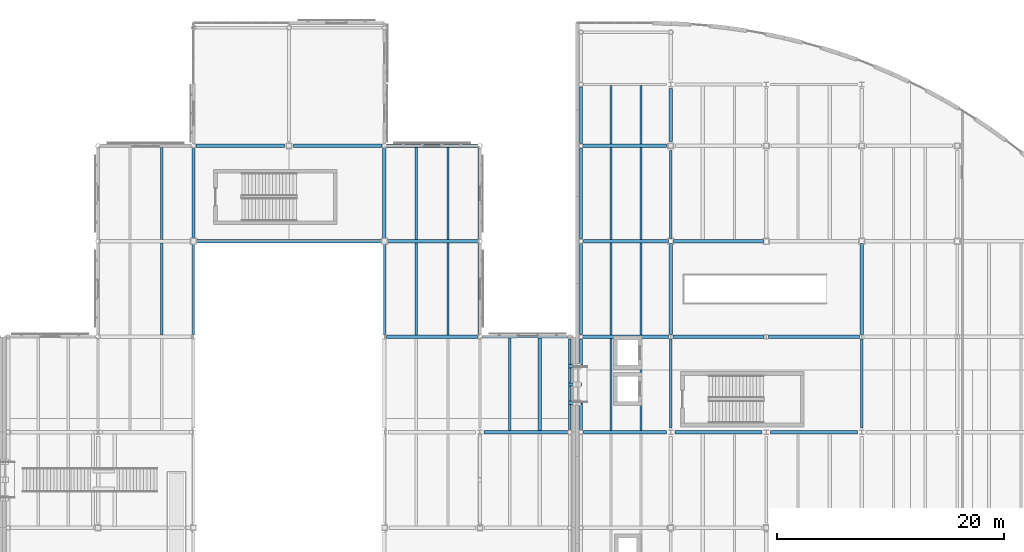
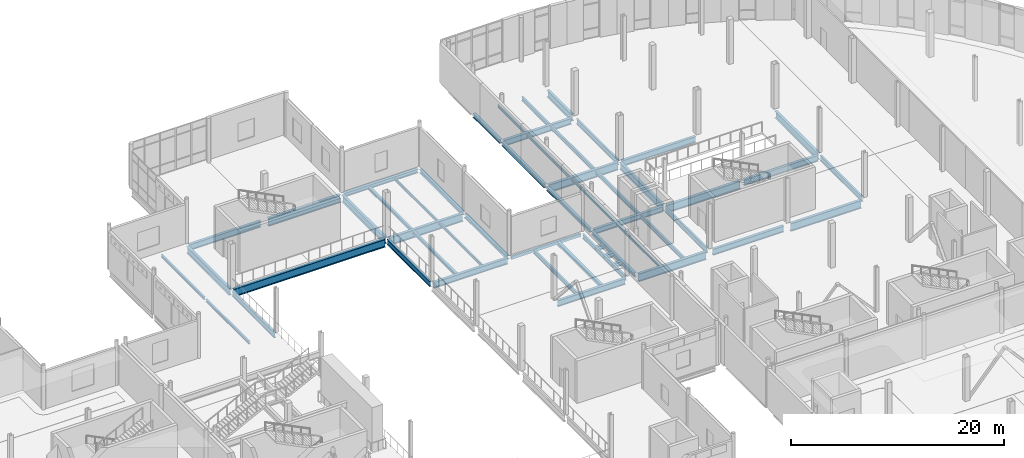
# One storey, part 31 of 104: 53 beams.
"""IFC4 building model written with IfcOpenShell, lengths in metres."""

from ifc_helpers import new_model, si_unit, direction, frame, origin, origin_2d, place, context, subcontext, project, spatial, hollow_rectangle, i_section, extrude, material, material_profile, profile_set, type_object, element, save


model = new_model("IFC4")

# Units and contexts
model_context = context("Model", 3, precision=1e-05, world=origin(), true_north=direction((0.0, 1.0)))
body_context = subcontext(model_context, "Body", "Model", "MODEL_VIEW")
ifc_project = project(units=[si_unit("LENGTHUNIT", "METRE"), si_unit("AREAUNIT", "SQUARE_METRE"), si_unit("VOLUMEUNIT", "CUBIC_METRE"), si_unit("PLANEANGLEUNIT", "RADIAN"), si_unit("MASSUNIT", "GRAM", prefix="KILO"), si_unit("THERMODYNAMICTEMPERATUREUNIT", "KELVIN")], contexts=[model_context])

# Site, building, storey
site_placement = place(None, origin())
site = spatial("IfcSite", under=ifc_project, at=site_placement, CompositionType="ELEMENT")
building_placement = place(site_placement, origin())
building = spatial("IfcBuilding", under=site, at=building_placement, Name="Lustrewick Department Store", CompositionType="ELEMENT")
storey_placement = place(building_placement, frame((0.0, 0.0, 11.39990234375)))
storey = spatial("IfcBuildingStorey", under=building, at=storey_placement, Name="L03", CompositionType="ELEMENT", Elevation=11.39990234375)

# Beams
ifc_material_1 = material(Name="Structural steel Q355B", Category="steel")
ifc_material_profile_1 = material_profile(ifc_material_1, i_section(OverallWidth=0.199951171875, OverallDepth=0.449951171875, WebThickness=0.009033203125, FlangeThickness=0.013916015625, FilletRadius=0.01611328125, at=origin_2d()), Name="HN 450x200x9x14")
ifc_profile_set_1 = profile_set([ifc_material_profile_1], Name="Structural steel Q355B")
beam_type_1 = type_object("IfcBeamType", Name="B03", PredefinedType="JOIST", material=ifc_profile_set_1)
beam_1_placement = place(storey_placement, frame((103.433349609375, 75.75, -0.47998046875), z_axis=(0.0, 1.0, 0.0), x_axis=(-1.0, 0.0, 0.0)))
element("IfcBeam", 1, at=beam_1_placement, inside=storey, type_object=beam_type_1, Name="L03 V2 Secondary Joist B03", PredefinedType="JOIST", context=body_context, shape_type="SweptSolid", body=[
    extrude(i_section(OverallWidth=0.199951171875, OverallDepth=0.449951171875, WebThickness=0.009033203125, FlangeThickness=0.013916015625, FilletRadius=0.01611328125, at=origin_2d()), origin(), (0.0, 0.0, 1.0), 8.14990234375),
])
for number, where, z_axis, x_axis, name in (
    (2, (114.966796875, 75.7509765625, -0.47998046875), (0.0, 1.0, 0.0), (-1.0, 0.0, 0.0), "L03 V4 Secondary Joist B03"),
    (3, (114.966796875, 84.15087890625, -0.47998046875), (0.0, 1.0, 0.0), (-1.0, 0.0, 0.0), "L03 V4 Secondary Joist B03"),
):
    element("IfcBeam", number, at=place(storey_placement, frame(where, z_axis=z_axis, x_axis=x_axis)), inside=storey, type_object=beam_type_1, Name=name, PredefinedType="JOIST", context=body_context, shape_type="SweptSolid", body=[
        extrude(i_section(OverallWidth=0.199951171875, OverallDepth=0.449951171875, WebThickness=0.009033203125, FlangeThickness=0.013916015625, FilletRadius=0.01611328125, at=origin_2d()), origin(), (0.0, 0.0, 1.0), 8.09814453125),
    ])
beam_2_placement = place(storey_placement, frame((114.966796875, 92.551025390625, -0.47998046875), z_axis=(0.0, 1.0, 0.0), x_axis=(-1.0, 0.0, 0.0)))
element("IfcBeam", 4, at=beam_2_placement, inside=storey, type_object=beam_type_1, Name="L03 V4 Secondary Joist B03", PredefinedType="JOIST", context=body_context, shape_type="SweptSolid", body=[
    extrude(i_section(OverallWidth=0.199951171875, OverallDepth=0.449951171875, WebThickness=0.009033203125, FlangeThickness=0.013916015625, FilletRadius=0.01611328125, at=origin_2d()), origin(), (0.0, 0.0, 1.0), 8.098876953125),
])
beam_3_placement = place(storey_placement, frame((114.966796875, 100.949951171875, -0.47998046875), z_axis=(0.0, 1.0, 0.0), x_axis=(-1.0, 0.0, 0.0)))
element("IfcBeam", 5, at=beam_3_placement, inside=storey, type_object=beam_type_1, Name="L03 V4 Secondary Joist B03", PredefinedType="JOIST", context=body_context, shape_type="SweptSolid", body=[
    extrude(i_section(OverallWidth=0.199951171875, OverallDepth=0.449951171875, WebThickness=0.009033203125, FlangeThickness=0.013916015625, FilletRadius=0.01611328125, at=origin_2d()), origin(), (0.0, 0.0, 1.0), 5.150634765625),
])
ifc_material_profile_2 = material_profile(ifc_material_1, i_section(OverallWidth=0.300048828125, OverallDepth=0.389892578125, WebThickness=0.010009765625, FlangeThickness=0.01611328125, FilletRadius=0.01806640625, at=origin_2d()), Name="HM 390x300x10x16")
ifc_profile_set_2 = profile_set([ifc_material_profile_2], Name="Structural steel Q355B")
beam_type_2 = type_object("IfcBeamType", Name="B07", PredefinedType="JOIST", material=ifc_profile_set_2)
beam_4_placement = place(storey_placement, frame((106.066650390625, 75.75, -0.449951171875), z_axis=(0.0, 1.0, 0.0), x_axis=(-1.0, 0.0, 0.0)))
element("IfcBeam", 6, at=beam_4_placement, inside=storey, type_object=beam_type_2, Name="L03 V2 Secondary Joist B07", PredefinedType="JOIST", context=body_context, shape_type="SweptSolid", body=[
    extrude(i_section(OverallWidth=0.300048828125, OverallDepth=0.389892578125, WebThickness=0.010009765625, FlangeThickness=0.01611328125, FilletRadius=0.01806640625, at=origin_2d()), origin(), (0.0, 0.0, 1.0), 8.14990234375),
])
ifc_material_profile_3 = material_profile(ifc_material_1, i_section(OverallWidth=0.25, OverallDepth=0.340087890625, WebThickness=0.009033203125, FlangeThickness=0.013916015625, FilletRadius=0.01611328125, at=origin_2d()), Name="HM 340x250x9x14")
ifc_profile_set_3 = profile_set([ifc_material_profile_3], Name="Structural steel Q355B")
beam_type_3 = type_object("IfcBeamType", Name="B08", PredefinedType="JOIST", material=ifc_profile_set_3)
beam_5_placement = place(storey_placement, frame((95.199951171875, 84.14990234375, -0.4248046875), z_axis=(0.0, 1.0, 0.0), x_axis=(-1.0, 0.0, 0.0)))
element("IfcBeam", 7, at=beam_5_placement, inside=storey, type_object=beam_type_3, Name="L03 V2 Secondary Joist B08", PredefinedType="JOIST", context=body_context, shape_type="SweptSolid", body=[
    extrude(i_section(OverallWidth=0.25, OverallDepth=0.340087890625, WebThickness=0.009033203125, FlangeThickness=0.013916015625, FilletRadius=0.01611328125, at=origin_2d()), origin(), (0.0, 0.0, 1.0), 8.09912109375),
])
beam_6_placement = place(storey_placement, frame((95.199951171875, 92.551025390625, -0.4248046875), z_axis=(0.0, 1.0, 0.0), x_axis=(-1.0, 0.0, 0.0)))
element("IfcBeam", 8, at=beam_6_placement, inside=storey, type_object=beam_type_3, Name="L03 V2 Secondary Joist B08", PredefinedType="JOIST", context=body_context, shape_type="SweptSolid", body=[
    extrude(i_section(OverallWidth=0.25, OverallDepth=0.340087890625, WebThickness=0.009033203125, FlangeThickness=0.013916015625, FilletRadius=0.01611328125, at=origin_2d()), origin(), (0.0, 0.0, 1.0), 8.098876953125),
])
ifc_material_profile_4 = material_profile(ifc_material_1, i_section(OverallWidth=0.14892578125, OverallDepth=0.298095703125, WebThickness=0.005615234375, FlangeThickness=0.008056640625, FilletRadius=0.011962890625, at=origin_2d()), Name="HN 298x149x5.5x8")
ifc_profile_set_4 = profile_set([ifc_material_profile_4], Name="Structural steel Q355B")
beam_type_4 = type_object("IfcBeamType", Name="B12", PredefinedType="JOIST", material=ifc_profile_set_4)
beam_7_placement = place(storey_placement, frame((98.0, 84.14990234375, -0.40380859375), z_axis=(0.0, 1.0, 0.0), x_axis=(-1.0, 0.0, 0.0)))
element("IfcBeam", 9, at=beam_7_placement, inside=storey, type_object=beam_type_4, Name="L03 V2 Secondary Joist B12", PredefinedType="JOIST", context=body_context, shape_type="SweptSolid", body=[
    extrude(i_section(OverallWidth=0.14892578125, OverallDepth=0.298095703125, WebThickness=0.005615234375, FlangeThickness=0.008056640625, FilletRadius=0.011962890625, at=origin_2d()), origin(), (0.0, 0.0, 1.0), 8.09912109375),
])
beam_8_placement = place(storey_placement, frame((98.0, 92.551025390625, -0.40380859375), z_axis=(0.0, 1.0, 0.0), x_axis=(-1.0, 0.0, 0.0)))
element("IfcBeam", 10, at=beam_8_placement, inside=storey, type_object=beam_type_4, Name="L03 V2 Secondary Joist B12", PredefinedType="JOIST", context=body_context, shape_type="SweptSolid", body=[
    extrude(i_section(OverallWidth=0.14892578125, OverallDepth=0.298095703125, WebThickness=0.005615234375, FlangeThickness=0.008056640625, FilletRadius=0.011962890625, at=origin_2d()), origin(), (0.0, 0.0, 1.0), 8.098876953125),
])
for number, where, z_axis, x_axis, name in (
    (11, (112.333251953125, 75.7509765625, -0.40380859375), (0.0, 1.0, 0.0), (-1.0, 0.0, 0.0), "L03 V4 Secondary Joist B12"),
    (12, (112.333251953125, 84.15087890625, -0.40380859375), (0.0, 1.0, 0.0), (-1.0, 0.0, 0.0), "L03 V4 Secondary Joist B12"),
):
    element("IfcBeam", number, at=place(storey_placement, frame(where, z_axis=z_axis, x_axis=x_axis)), inside=storey, type_object=beam_type_4, Name=name, PredefinedType="JOIST", context=body_context, shape_type="SweptSolid", body=[
        extrude(i_section(OverallWidth=0.14892578125, OverallDepth=0.298095703125, WebThickness=0.005615234375, FlangeThickness=0.008056640625, FilletRadius=0.011962890625, at=origin_2d()), origin(), (0.0, 0.0, 1.0), 8.09814453125),
    ])
beam_9_placement = place(storey_placement, frame((112.333251953125, 92.551025390625, -0.40380859375), z_axis=(0.0, 1.0, 0.0), x_axis=(-1.0, 0.0, 0.0)))
element("IfcBeam", 13, at=beam_9_placement, inside=storey, type_object=beam_type_4, Name="L03 V4 Secondary Joist B12", PredefinedType="JOIST", context=body_context, shape_type="SweptSolid", body=[
    extrude(i_section(OverallWidth=0.14892578125, OverallDepth=0.298095703125, WebThickness=0.005615234375, FlangeThickness=0.008056640625, FilletRadius=0.011962890625, at=origin_2d()), origin(), (0.0, 0.0, 1.0), 8.098876953125),
])
beam_10_placement = place(storey_placement, frame((112.333251953125, 100.949951171875, -0.40380859375), z_axis=(0.0, 1.0, 0.0), x_axis=(-1.0, 0.0, 0.0)))
element("IfcBeam", 14, at=beam_10_placement, inside=storey, type_object=beam_type_4, Name="L03 V4 Secondary Joist B12", PredefinedType="JOIST", context=body_context, shape_type="SweptSolid", body=[
    extrude(i_section(OverallWidth=0.14892578125, OverallDepth=0.298095703125, WebThickness=0.005615234375, FlangeThickness=0.008056640625, FilletRadius=0.011962890625, at=origin_2d()), origin(), (0.0, 0.0, 1.0), 5.150634765625),
])
ifc_material_profile_5 = material_profile(ifc_material_1, i_section(OverallWidth=0.199951171875, OverallDepth=0.2939453125, WebThickness=0.008056640625, FlangeThickness=0.011962890625, FilletRadius=0.013916015625, at=origin_2d()), Name="HM 294x200x8x12")
ifc_profile_set_5 = profile_set([ifc_material_profile_5], Name="Structural steel Q355B")
beam_type_5 = type_object("IfcBeamType", Name="B13", PredefinedType="JOIST", material=ifc_profile_set_5)
beam_11_placement = place(storey_placement, frame((72.800048828125, 84.15087890625, -0.40185546875), z_axis=(0.0, 1.0, 0.0), x_axis=(-1.0, 0.0, 0.0)))
element("IfcBeam", 15, at=beam_11_placement, inside=storey, type_object=beam_type_5, Name="L03 V2 Secondary Joist B13", PredefinedType="JOIST", context=body_context, shape_type="SweptSolid", body=[
    extrude(i_section(OverallWidth=0.199951171875, OverallDepth=0.2939453125, WebThickness=0.008056640625, FlangeThickness=0.011962890625, FilletRadius=0.013916015625, at=origin_2d()), origin(), (0.0, 0.0, 1.0), 8.09814453125),
])
beam_12_placement = place(storey_placement, frame((72.800048828125, 92.551025390625, -0.40185546875), z_axis=(0.0, 1.0, 0.0), x_axis=(-1.0, 0.0, 0.0)))
element("IfcBeam", 16, at=beam_12_placement, inside=storey, type_object=beam_type_5, Name="L03 V2 Secondary Joist B13", PredefinedType="JOIST", context=body_context, shape_type="SweptSolid", body=[
    extrude(i_section(OverallWidth=0.199951171875, OverallDepth=0.2939453125, WebThickness=0.008056640625, FlangeThickness=0.011962890625, FilletRadius=0.013916015625, at=origin_2d()), origin(), (0.0, 0.0, 1.0), 8.098876953125),
])
ifc_material_2 = material(Name="Structural steel Q355C", Category="steel")
ifc_material_profile_6 = material_profile(ifc_material_2, i_section(OverallWidth=0.302001953125, OverallDepth=0.912109375, WebThickness=0.01806640625, FlangeThickness=0.033935546875, FilletRadius=0.02392578125, at=origin_2d()), Name="HN 912x302x18x34")
ifc_profile_set_6 = profile_set([ifc_material_profile_6], Name="Structural steel Q355C")
beam_type_6 = type_object("IfcBeamType", Name="G01", PredefinedType="BEAM", material=ifc_profile_set_6)
beam_13_placement = place(storey_placement, frame((92.60009765625, 92.39990234375, -0.7109375), z_axis=(1.0, 0.0, 0.0), x_axis=(0.0, 1.0, 0.0)))
element("IfcBeam", 17, at=beam_13_placement, inside=storey, type_object=beam_type_6, Name="L03 V2 Girder G01", PredefinedType="BEAM", context=body_context, shape_type="SweptSolid", body=[
    extrude(i_section(OverallWidth=0.302001953125, OverallDepth=0.912109375, WebThickness=0.01806640625, FlangeThickness=0.033935546875, FilletRadius=0.02392578125, at=origin_2d()), origin(), (0.0, 0.0, 1.0), 8.011474609375),
])
beam_14_placement = place(storey_placement, frame((84.39990234375, 100.800048828125, -0.7109375), z_axis=(1.0, 0.0, 0.0), x_axis=(0.0, 1.0, 0.0)))
element("IfcBeam", 18, at=beam_14_placement, inside=storey, type_object=beam_type_6, Name="L03 V2 Girder G01", PredefinedType="BEAM", context=body_context, shape_type="SweptSolid", body=[
    extrude(i_section(OverallWidth=0.302001953125, OverallDepth=0.912109375, WebThickness=0.01806640625, FlangeThickness=0.033935546875, FilletRadius=0.02392578125, at=origin_2d()), origin(), (0.0, 0.0, 1.0), 7.797119140625),
])
beam_15_placement = place(storey_placement, frame((109.903076171875, 75.60009765625, -0.7109375), z_axis=(1.0, 0.0, 0.0), x_axis=(0.0, 1.0, 0.0)))
element("IfcBeam", 19, at=beam_15_placement, inside=storey, type_object=beam_type_6, Name="L03 V4 Girder G01", PredefinedType="BEAM", context=body_context, shape_type="SweptSolid", body=[
    extrude(i_section(OverallWidth=0.302001953125, OverallDepth=0.912109375, WebThickness=0.01806640625, FlangeThickness=0.033935546875, FilletRadius=0.02392578125, at=origin_2d()), origin(), (0.0, 0.0, 1.0), 7.322021484375),
])
beam_16_placement = place(storey_placement, frame((126.375, 75.60009765625, -0.7109375), z_axis=(1.0, 0.0, 0.0), x_axis=(0.0, 1.0, 0.0)))
element("IfcBeam", 20, at=beam_16_placement, inside=storey, type_object=beam_type_6, Name="L03 V4 Girder G01", PredefinedType="BEAM", context=body_context, shape_type="SweptSolid", body=[
    extrude(i_section(OverallWidth=0.302001953125, OverallDepth=0.912109375, WebThickness=0.01806640625, FlangeThickness=0.033935546875, FilletRadius=0.02392578125, at=origin_2d()), origin(), (0.0, 0.0, 1.0), 7.64990234375),
])
beam_17_placement = place(storey_placement, frame((117.802490234375, 84.0, -0.7109375), z_axis=(1.0, 0.0, 0.0), x_axis=(0.0, 1.0, 0.0)))
element("IfcBeam", 21, at=beam_17_placement, inside=storey, type_object=beam_type_6, Name="L03 V4 Girder G01", PredefinedType="BEAM", context=body_context, shape_type="SweptSolid", body=[
    extrude(i_section(OverallWidth=0.302001953125, OverallDepth=0.912109375, WebThickness=0.01806640625, FlangeThickness=0.033935546875, FilletRadius=0.02392578125, at=origin_2d()), origin(), (0.0, 0.0, 1.0), 7.9951171875),
])
beam_18_placement = place(storey_placement, frame((109.903076171875, 92.39990234375, -0.7109375), z_axis=(1.0, 0.0, 0.0), x_axis=(0.0, 1.0, 0.0)))
element("IfcBeam", 22, at=beam_18_placement, inside=storey, type_object=beam_type_6, Name="L03 V4 Girder G01", PredefinedType="BEAM", context=body_context, shape_type="SweptSolid", body=[
    extrude(i_section(OverallWidth=0.302001953125, OverallDepth=0.912109375, WebThickness=0.01806640625, FlangeThickness=0.033935546875, FilletRadius=0.02392578125, at=origin_2d()), origin(), (0.0, 0.0, 1.0), 7.496826171875),
])
ifc_material_profile_7 = material_profile(ifc_material_2, i_section(OverallWidth=0.300048828125, OverallDepth=0.89990234375, WebThickness=0.01611328125, FlangeThickness=0.028076171875, FilletRadius=0.02392578125, at=origin_2d()), Name="HN 900x300x16x28")
ifc_profile_set_7 = profile_set([ifc_material_profile_7], Name="Structural steel Q355C")
beam_type_7 = type_object("IfcBeamType", Name="G02", PredefinedType="BEAM", material=ifc_profile_set_7)
beam_19_placement = place(storey_placement, frame((75.800048828125, 92.39990234375, -0.704833984375), z_axis=(1.0, 0.0, 0.0), x_axis=(0.0, 1.0, 0.0)))
element("IfcBeam", 23, at=beam_19_placement, inside=storey, type_object=beam_type_7, Name="L03 V2 Girder G02", PredefinedType="BEAM", context=body_context, shape_type="SweptSolid", body=[
    extrude(i_section(OverallWidth=0.300048828125, OverallDepth=0.89990234375, WebThickness=0.01611328125, FlangeThickness=0.028076171875, FilletRadius=0.02392578125, at=origin_2d()), origin(), (0.0, 0.0, 1.0), 16.39990234375),
])
ifc_material_profile_8 = material_profile(ifc_material_1, i_section(OverallWidth=0.300048828125, OverallDepth=0.800048828125, WebThickness=0.013916015625, FlangeThickness=0.02587890625, FilletRadius=0.02197265625, at=origin_2d()), Name="HN 800x300x14x26")
ifc_profile_set_8 = profile_set([ifc_material_profile_8], Name="Structural steel Q355B")
beam_type_8 = type_object("IfcBeamType", Name="G05", PredefinedType="BEAM", material=ifc_profile_set_8)
beam_20_placement = place(storey_placement, frame((117.60009765625, 101.199951171875, -0.65478515625), z_axis=(0.0, 1.0, 0.0), x_axis=(-1.0, 0.0, 0.0)))
element("IfcBeam", 24, at=beam_20_placement, inside=storey, type_object=beam_type_8, Name="L03 V4 Girder G05", PredefinedType="BEAM", context=body_context, shape_type="SweptSolid", body=[
    extrude(i_section(OverallWidth=0.300048828125, OverallDepth=0.800048828125, WebThickness=0.013916015625, FlangeThickness=0.02587890625, FilletRadius=0.02197265625, at=origin_2d()), origin(), (0.0, 0.0, 1.0), 4.625),
])
beam_21_placement = place(storey_placement, frame((134.39990234375, 84.20703125, -0.65478515625), z_axis=(0.0, 1.0, 0.0), x_axis=(-1.0, 0.0, 0.0)))
element("IfcBeam", 25, at=beam_21_placement, inside=storey, type_object=beam_type_8, Name="L03 V4 Girder G05", PredefinedType="BEAM", context=body_context, shape_type="SweptSolid", body=[
    extrude(i_section(OverallWidth=0.300048828125, OverallDepth=0.800048828125, WebThickness=0.013916015625, FlangeThickness=0.02587890625, FilletRadius=0.02197265625, at=origin_2d()), origin(), (0.0, 0.0, 1.0), 7.992919921875),
])
ifc_material_profile_9 = material_profile(ifc_material_1, i_section(OverallWidth=0.300048828125, OverallDepth=0.7919921875, WebThickness=0.013916015625, FlangeThickness=0.02197265625, FilletRadius=0.02197265625, at=origin_2d()), Name="HN 792x300x14x22")
ifc_profile_set_9 = profile_set([ifc_material_profile_9], Name="Structural steel Q355B")
beam_type_9 = type_object("IfcBeamType", Name="G06", PredefinedType="BEAM", material=ifc_profile_set_9)
for number, where, z_axis, x_axis, name in (
    (26, (75.60009765625, 92.60009765625, -0.65087890625), (0.0, 1.0, 0.0), (-1.0, 0.0, 0.0), "L03 V2 Girder G06"),
    (27, (92.39990234375, 92.60009765625, -0.65087890625), (0.0, 1.0, 0.0), (-1.0, 0.0, 0.0), "L03 V2 Girder G06"),
):
    element("IfcBeam", number, at=place(storey_placement, frame(where, z_axis=z_axis, x_axis=x_axis)), inside=storey, type_object=beam_type_9, Name=name, PredefinedType="BEAM", context=body_context, shape_type="SweptSolid", body=[
        extrude(i_section(OverallWidth=0.300048828125, OverallDepth=0.7919921875, WebThickness=0.013916015625, FlangeThickness=0.02197265625, FilletRadius=0.02197265625, at=origin_2d()), origin(), (0.0, 0.0, 1.0), 7.996826171875),
    ])
beam_22_placement = place(storey_placement, frame((117.60009765625, 84.20703125, -0.65087890625), z_axis=(0.0, 1.0, 0.0), x_axis=(-1.0, 0.0, 0.0)))
element("IfcBeam", 28, at=beam_22_placement, inside=storey, type_object=beam_type_9, Name="L03 V4 Girder G06", PredefinedType="BEAM", context=body_context, shape_type="SweptSolid", body=[
    extrude(i_section(OverallWidth=0.300048828125, OverallDepth=0.7919921875, WebThickness=0.013916015625, FlangeThickness=0.02197265625, FilletRadius=0.02197265625, at=origin_2d()), origin(), (0.0, 0.0, 1.0), 7.992919921875),
])
ifc_material_profile_10 = material_profile(ifc_material_1, i_section(OverallWidth=0.300048828125, OverallDepth=0.69189453125, WebThickness=0.012939453125, FlangeThickness=0.02001953125, FilletRadius=0.02001953125, at=origin_2d()), Name="HN 692x300x13x20")
ifc_profile_set_10 = profile_set([ifc_material_profile_10], Name="Structural steel Q355B")
beam_type_10 = type_object("IfcBeamType", Name="G09", PredefinedType="BEAM", material=ifc_profile_set_10)
beam_23_placement = place(storey_placement, frame((101.175048828125, 75.60009765625, -0.600830078125), z_axis=(1.0, 0.0, 0.0), x_axis=(0.0, 1.0, 0.0)))
element("IfcBeam", 29, at=beam_23_placement, inside=storey, type_object=beam_type_10, Name="L03 V2 Girder G09", PredefinedType="BEAM", context=body_context, shape_type="SweptSolid", body=[
    extrude(i_section(OverallWidth=0.300048828125, OverallDepth=0.69189453125, WebThickness=0.012939453125, FlangeThickness=0.02001953125, FilletRadius=0.02001953125, at=origin_2d()), origin(), (0.0, 0.0, 1.0), 7.322021484375),
])
beam_24_placement = place(storey_placement, frame((92.6025390625, 84.0, -0.600830078125), z_axis=(1.0, 0.0, 0.0), x_axis=(0.0, 1.0, 0.0)))
element("IfcBeam", 30, at=beam_24_placement, inside=storey, type_object=beam_type_10, Name="L03 V2 Girder G09", PredefinedType="BEAM", context=body_context, shape_type="SweptSolid", body=[
    extrude(i_section(OverallWidth=0.300048828125, OverallDepth=0.69189453125, WebThickness=0.012939453125, FlangeThickness=0.02001953125, FilletRadius=0.02001953125, at=origin_2d()), origin(), (0.0, 0.0, 1.0), 7.994384765625),
])
beam_25_placement = place(storey_placement, frame((75.802978515625, 100.800048828125, -0.600830078125), z_axis=(1.0, 0.0, 0.0), x_axis=(0.0, 1.0, 0.0)))
element("IfcBeam", 31, at=beam_25_placement, inside=storey, type_object=beam_type_10, Name="L03 V2 Girder G09", PredefinedType="BEAM", context=body_context, shape_type="SweptSolid", body=[
    extrude(i_section(OverallWidth=0.300048828125, OverallDepth=0.69189453125, WebThickness=0.012939453125, FlangeThickness=0.02001953125, FilletRadius=0.02001953125, at=origin_2d()), origin(), (0.0, 0.0, 1.0), 7.797119140625),
])
beam_26_placement = place(storey_placement, frame((117.97509765625, 75.60009765625, -0.600830078125), z_axis=(1.0, 0.0, 0.0), x_axis=(0.0, 1.0, 0.0)))
element("IfcBeam", 32, at=beam_26_placement, inside=storey, type_object=beam_type_10, Name="L03 V4 Girder G09", PredefinedType="BEAM", context=body_context, shape_type="SweptSolid", body=[
    extrude(i_section(OverallWidth=0.300048828125, OverallDepth=0.69189453125, WebThickness=0.012939453125, FlangeThickness=0.02001953125, FilletRadius=0.02001953125, at=origin_2d()), origin(), (0.0, 0.0, 1.0), 7.64990234375),
])
beam_27_placement = place(storey_placement, frame((126.202392578125, 84.0, -0.600830078125), z_axis=(1.0, 0.0, 0.0), x_axis=(0.0, 1.0, 0.0)))
element("IfcBeam", 33, at=beam_27_placement, inside=storey, type_object=beam_type_10, Name="L03 V4 Girder G09", PredefinedType="BEAM", context=body_context, shape_type="SweptSolid", body=[
    extrude(i_section(OverallWidth=0.300048828125, OverallDepth=0.69189453125, WebThickness=0.012939453125, FlangeThickness=0.02001953125, FilletRadius=0.02001953125, at=origin_2d()), origin(), (0.0, 0.0, 1.0), 7.9951171875),
])
beam_28_placement = place(storey_placement, frame((117.800048828125, 92.39990234375, -0.600830078125), z_axis=(1.0, 0.0, 0.0), x_axis=(0.0, 1.0, 0.0)))
element("IfcBeam", 34, at=beam_28_placement, inside=storey, type_object=beam_type_10, Name="L03 V4 Girder G09", PredefinedType="BEAM", context=body_context, shape_type="SweptSolid", body=[
    extrude(i_section(OverallWidth=0.300048828125, OverallDepth=0.69189453125, WebThickness=0.012939453125, FlangeThickness=0.02001953125, FilletRadius=0.02001953125, at=origin_2d()), origin(), (0.0, 0.0, 1.0), 8.0),
])
beam_29_placement = place(storey_placement, frame((109.888427734375, 100.800048828125, -0.600830078125), z_axis=(1.0, 0.0, 0.0), x_axis=(0.0, 1.0, 0.0)))
element("IfcBeam", 35, at=beam_29_placement, inside=storey, type_object=beam_type_10, Name="L03 V4 Girder G09", PredefinedType="BEAM", context=body_context, shape_type="SweptSolid", body=[
    extrude(i_section(OverallWidth=0.300048828125, OverallDepth=0.69189453125, WebThickness=0.012939453125, FlangeThickness=0.02001953125, FilletRadius=0.02001953125, at=origin_2d()), origin(), (0.0, 0.0, 1.0), 7.3115234375),
])
ifc_material_profile_11 = material_profile(ifc_material_1, i_section(OverallWidth=0.302001953125, OverallDepth=0.593994140625, WebThickness=0.013916015625, FlangeThickness=0.02294921875, FilletRadius=0.02392578125, at=origin_2d()), Name="HM 594x302x14x23")
ifc_profile_set_11 = profile_set([ifc_material_profile_11], Name="Structural steel Q355B")
beam_type_11 = type_object("IfcBeamType", Name="G10", PredefinedType="BEAM", material=ifc_profile_set_11)
beam_30_placement = place(storey_placement, frame((109.888427734375, 84.0, -0.552001953125), z_axis=(1.0, 0.0, 0.0), x_axis=(0.0, 1.0, 0.0)))
element("IfcBeam", 36, at=beam_30_placement, inside=storey, type_object=beam_type_11, Name="L03 V4 Girder G10", PredefinedType="BEAM", context=body_context, shape_type="SweptSolid", body=[
    extrude(i_section(OverallWidth=0.302001953125, OverallDepth=0.593994140625, WebThickness=0.013916015625, FlangeThickness=0.02294921875, FilletRadius=0.02392578125, at=origin_2d()), origin(), (0.0, 0.0, 1.0), 7.509033203125),
])
ifc_material_profile_12 = material_profile(ifc_material_1, i_section(OverallWidth=0.199951171875, OverallDepth=0.60009765625, WebThickness=0.010986328125, FlangeThickness=0.01708984375, FilletRadius=0.01806640625, at=origin_2d()), Name="HN 600x200x11x17")
ifc_profile_set_12 = profile_set([ifc_material_profile_12], Name="Structural steel Q355B")
beam_type_12 = type_object("IfcBeamType", Name="G14", PredefinedType="BEAM", material=ifc_profile_set_12)
beam_31_placement = place(storey_placement, frame((92.39990234375, 84.20703125, -0.554931640625), z_axis=(0.0, 1.0, 0.0), x_axis=(-1.0, 0.0, 0.0)))
element("IfcBeam", 37, at=beam_31_placement, inside=storey, type_object=beam_type_12, Name="L03 V2 Girder G14", PredefinedType="BEAM", context=body_context, shape_type="SweptSolid", body=[
    extrude(i_section(OverallWidth=0.199951171875, OverallDepth=0.60009765625, WebThickness=0.010986328125, FlangeThickness=0.01708984375, FilletRadius=0.01806640625, at=origin_2d()), origin(), (0.0, 0.0, 1.0), 7.992919921875),
])
beam_32_placement = place(storey_placement, frame((117.60009765625, 75.97509765625, -0.554931640625), z_axis=(0.0, 1.0, 0.0), x_axis=(-1.0, 0.0, 0.0)))
element("IfcBeam", 38, at=beam_32_placement, inside=storey, type_object=beam_type_12, Name="L03 V4 Girder G14", PredefinedType="BEAM", context=body_context, shape_type="SweptSolid", body=[
    extrude(i_section(OverallWidth=0.199951171875, OverallDepth=0.60009765625, WebThickness=0.010986328125, FlangeThickness=0.01708984375, FilletRadius=0.01806640625, at=origin_2d()), origin(), (0.0, 0.0, 1.0), 7.81787109375),
])
beam_33_placement = place(storey_placement, frame((117.60009765625, 92.60009765625, -0.554931640625), z_axis=(0.0, 1.0, 0.0), x_axis=(-1.0, 0.0, 0.0)))
element("IfcBeam", 39, at=beam_33_placement, inside=storey, type_object=beam_type_12, Name="L03 V4 Girder G14", PredefinedType="BEAM", context=body_context, shape_type="SweptSolid", body=[
    extrude(i_section(OverallWidth=0.199951171875, OverallDepth=0.60009765625, WebThickness=0.010986328125, FlangeThickness=0.01708984375, FilletRadius=0.01806640625, at=origin_2d()), origin(), (0.0, 0.0, 1.0), 7.7998046875),
])
beam_34_placement = place(storey_placement, frame((134.39990234375, 75.97509765625, -0.554931640625), z_axis=(0.0, 1.0, 0.0), x_axis=(-1.0, 0.0, 0.0)))
element("IfcBeam", 40, at=beam_34_placement, inside=storey, type_object=beam_type_12, Name="L03 V4 Girder G14", PredefinedType="BEAM", context=body_context, shape_type="SweptSolid", body=[
    extrude(i_section(OverallWidth=0.199951171875, OverallDepth=0.60009765625, WebThickness=0.010986328125, FlangeThickness=0.01708984375, FilletRadius=0.01806640625, at=origin_2d()), origin(), (0.0, 0.0, 1.0), 7.81787109375),
])
ifc_material_profile_13 = material_profile(ifc_material_1, i_section(OverallWidth=0.198974609375, OverallDepth=0.595947265625, WebThickness=0.010009765625, FlangeThickness=0.014892578125, FilletRadius=0.01806640625, at=origin_2d()), Name="HN 596x199x10x15")
ifc_profile_set_13 = profile_set([ifc_material_profile_13], Name="Structural steel Q355B")
beam_type_13 = type_object("IfcBeamType", Name="G15", PredefinedType="BEAM", material=ifc_profile_set_13)
beam_35_placement = place(storey_placement, frame((75.60009765625, 84.20703125, -0.552978515625), z_axis=(0.0, 1.0, 0.0), x_axis=(-1.0, 0.0, 0.0)))
element("IfcBeam", 41, at=beam_35_placement, inside=storey, type_object=beam_type_13, Name="L03 V2 Girder G15", PredefinedType="BEAM", context=body_context, shape_type="SweptSolid", body=[
    extrude(i_section(OverallWidth=0.198974609375, OverallDepth=0.595947265625, WebThickness=0.010009765625, FlangeThickness=0.014892578125, FilletRadius=0.01806640625, at=origin_2d()), origin(), (0.0, 0.0, 1.0), 7.992919921875),
])
ifc_material_profile_14 = material_profile(ifc_material_1, i_section(OverallWidth=0.300048828125, OverallDepth=0.488037109375, WebThickness=0.010986328125, FlangeThickness=0.01806640625, FilletRadius=0.02197265625, at=origin_2d()), Name="HM 488x300x11x18")
ifc_profile_set_14 = profile_set([ifc_material_profile_14], Name="Structural steel Q355B")
beam_type_14 = type_object("IfcBeamType", Name="G16", PredefinedType="BEAM", material=ifc_profile_set_14)
for number, where, z_axis, x_axis, name in (
    (42, (108.60009765625, 78.199951171875, -0.4990234375), (1.0, 0.0, 0.0), (0.0, 1.0, 0.0), "L03 Skybridge SB24 Girder 1"),
    (43, (108.60009765625, 81.39990234375, -0.4990234375), (1.0, 0.0, 0.0), (0.0, 1.0, 0.0), "L03 Skybridge SB24 Girder 2"),
    (44, (108.60009765625, 79.800048828125, -0.4990234375), (1.0, 0.0, 0.0), (0.0, 1.0, 0.0), "L03 Skybridge SB24 Girder 3"),
):
    element("IfcBeam", number, at=place(storey_placement, frame(where, z_axis=z_axis, x_axis=x_axis)), inside=storey, type_object=beam_type_14, Name=name, PredefinedType="BEAM", context=body_context, shape_type="SweptSolid", body=[
        extrude(i_section(OverallWidth=0.300048828125, OverallDepth=0.488037109375, WebThickness=0.010986328125, FlangeThickness=0.01806640625, FilletRadius=0.02197265625, at=origin_2d()), origin(), (0.0, 0.0, 1.0), 1.139892578125),
    ])
ifc_material_profile_15 = material_profile(ifc_material_1, i_section(OverallWidth=0.200927734375, OverallDepth=0.506103515625, WebThickness=0.010986328125, FlangeThickness=0.01904296875, FilletRadius=0.01611328125, at=origin_2d()), Name="HN 506x201x11x19")
ifc_profile_set_15 = profile_set([ifc_material_profile_15], Name="Structural steel Q355B")
beam_type_15 = type_object("IfcBeamType", Name="SP01", PredefinedType="SPANDREL", material=ifc_profile_set_15)
beam_36_placement = place(storey_placement, frame((108.699951171875, 75.802978515625, -0.5078125), z_axis=(0.0, 1.0, 0.0), x_axis=(-1.0, 0.0, 0.0)))
element("IfcBeam", 45, at=beam_36_placement, inside=storey, type_object=beam_type_15, Name="L03 V2 Girder SP01", PredefinedType="SPANDREL", context=body_context, shape_type="SweptSolid", body=[
    extrude(i_section(OverallWidth=0.200927734375, OverallDepth=0.506103515625, WebThickness=0.010986328125, FlangeThickness=0.01904296875, FilletRadius=0.01611328125, at=origin_2d()), origin(), (0.0, 0.0, 1.0), 8.008544921875),
])
ifc_material_profile_16 = material_profile(ifc_material_1, i_section(OverallWidth=0.300048828125, OverallDepth=0.43994140625, WebThickness=0.010986328125, FlangeThickness=0.01806640625, FilletRadius=0.02001953125, at=origin_2d()), Name="HM 440x300x11x18")
ifc_profile_set_16 = profile_set([ifc_material_profile_16], Name="Structural steel Q355B")
beam_type_16 = type_object("IfcBeamType", Name="SP02", PredefinedType="SPANDREL", material=ifc_profile_set_16)
beam_37_placement = place(storey_placement, frame((92.60302734375, 100.800048828125, -0.474853515625), z_axis=(1.0, 0.0, 0.0), x_axis=(0.0, 1.0, 0.0)))
element("IfcBeam", 46, at=beam_37_placement, inside=storey, type_object=beam_type_16, Name="L03 V2 Girder SP02", PredefinedType="SPANDREL", context=body_context, shape_type="SweptSolid", body=[
    extrude(i_section(OverallWidth=0.300048828125, OverallDepth=0.43994140625, WebThickness=0.010986328125, FlangeThickness=0.01806640625, FilletRadius=0.02001953125, at=origin_2d()), origin(), (0.0, 0.0, 1.0), 7.993896484375),
])
for number, where, z_axis, x_axis, name in (
    (47, (100.800048828125, 84.202880859375, -0.474853515625), (0.0, 1.0, 0.0), (-1.0, 0.0, 0.0), "L03 V2 Girder SP02"),
    (48, (100.800048828125, 92.58837890625, -0.474853515625), (0.0, 1.0, 0.0), (-1.0, 0.0, 0.0), "L03 V2 Girder SP02"),
    (49, (109.699951171875, 75.802978515625, -0.474853515625), (0.0, 1.0, 0.0), (-1.0, 0.0, 0.0), "L03 V4 Girder SP02"),
    (50, (109.699951171875, 84.1884765625, -0.474853515625), (0.0, 1.0, 0.0), (-1.0, 0.0, 0.0), "L03 V4 Girder SP02"),
    (51, (109.699951171875, 92.60302734375, -0.474853515625), (0.0, 1.0, 0.0), (-1.0, 0.0, 0.0), "L03 V4 Girder SP02"),
):
    element("IfcBeam", number, at=place(storey_placement, frame(where, z_axis=z_axis, x_axis=x_axis)), inside=storey, type_object=beam_type_16, Name=name, PredefinedType="SPANDREL", context=body_context, shape_type="SweptSolid", body=[
        extrude(i_section(OverallWidth=0.300048828125, OverallDepth=0.43994140625, WebThickness=0.010986328125, FlangeThickness=0.01806640625, FilletRadius=0.02001953125, at=origin_2d()), origin(), (0.0, 0.0, 1.0), 8.008544921875),
    ])
beam_38_placement = place(storey_placement, frame((109.699951171875, 100.988525390625, -0.474853515625), z_axis=(0.0, 1.0, 0.0), x_axis=(-1.0, 0.0, 0.0)))
element("IfcBeam", 52, at=beam_38_placement, inside=storey, type_object=beam_type_16, Name="L03 V4 Girder SP02", PredefinedType="SPANDREL", context=body_context, shape_type="SweptSolid", body=[
    extrude(i_section(OverallWidth=0.300048828125, OverallDepth=0.43994140625, WebThickness=0.010986328125, FlangeThickness=0.01806640625, FilletRadius=0.02001953125, at=origin_2d()), origin(), (0.0, 0.0, 1.0), 5.008544921875),
])
ifc_material_profile_17 = material_profile(ifc_material_2, hollow_rectangle(XDim=0.199951171875, YDim=0.35009765625, WallThickness=0.011962890625, at=origin_2d()), Name="RHS 350x200x12")
ifc_profile_set_17 = profile_set([ifc_material_profile_17], Name="Structural steel Q355C")
beam_type_17 = type_object("IfcBeamType", Name="SP03", PredefinedType="SPANDREL", material=ifc_profile_set_17)
beam_39_placement = place(storey_placement, frame((101.0029296875, 84.0, -0.429931640625), z_axis=(1.0, 0.0, 0.0), x_axis=(0.0, 1.0, 0.0)))
element("IfcBeam", 53, at=beam_39_placement, inside=storey, type_object=beam_type_17, Name="L03 V2 Girder SP03", PredefinedType="SPANDREL", context=body_context, shape_type="SweptSolid", body=[
    extrude(hollow_rectangle(XDim=0.199951171875, YDim=0.35009765625, WallThickness=0.011962890625, at=origin_2d()), origin(), (0.0, 0.0, 1.0), 7.508544921875),
])

save(model, "model.ifc")
